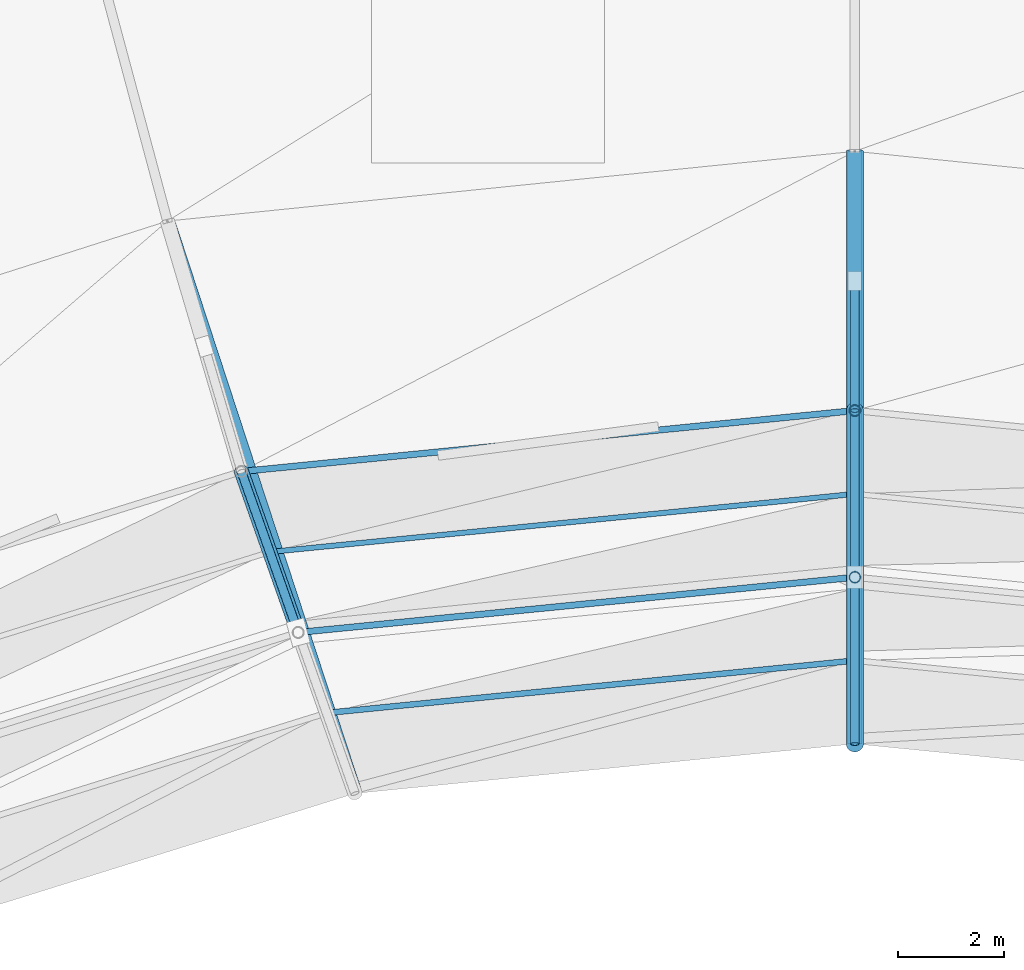
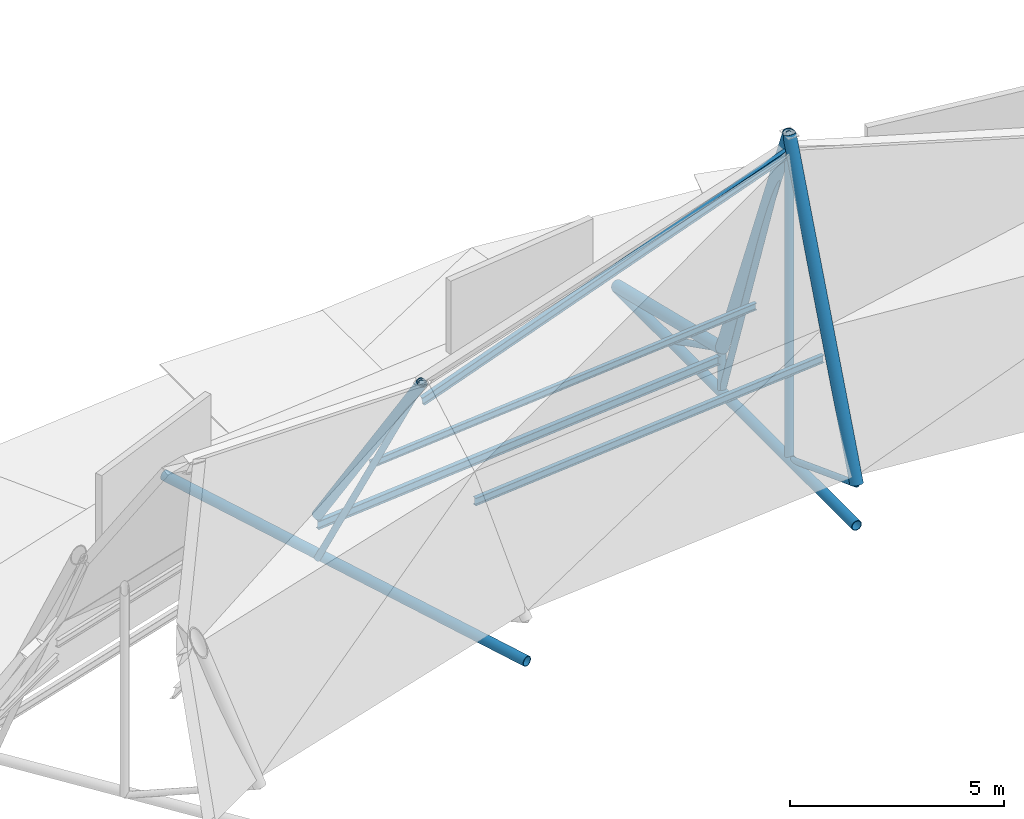
# One storey, part 13 of 36: 14 members, 2 beams.
"""IFC4 building model written with IfcOpenShell, lengths in metres."""

from ifc_helpers import new_model, si_unit, direction, frame, origin, origin_2d, place, context, subcontext, project, spatial, hollow_circle, i_section, extrude, material, material_profile, profile_set, type_object, element, save


model = new_model("IFC4")

# Units and contexts
model_context = context("Model", 3, precision=1e-05, world=origin(), true_north=direction((0.0, 1.0)))
body_context = subcontext(model_context, "Body", "Model", "MODEL_VIEW")
ifc_project = project(units=[si_unit("LENGTHUNIT", "METRE"), si_unit("AREAUNIT", "SQUARE_METRE"), si_unit("VOLUMEUNIT", "CUBIC_METRE"), si_unit("PLANEANGLEUNIT", "RADIAN"), si_unit("MASSUNIT", "GRAM", prefix="KILO")], contexts=[model_context])

# Site, building, storey
site_placement = place(None, origin())
site = spatial("IfcSite", under=ifc_project, at=site_placement, CompositionType="ELEMENT")
building_placement = place(site_placement, origin())
building = spatial("IfcBuilding", under=site, at=building_placement, Name="Kildeholm Park Wholesale Market", CompositionType="ELEMENT")
storey_placement = place(building_placement, frame((0.0, 0.0, 17.39990234375)))
storey = spatial("IfcBuildingStorey", under=building, at=storey_placement, Name="Roof", CompositionType="ELEMENT", Elevation=17.39990234375)

# Beams
ifc_material = material(Name="Steel S355", Category="steel")
ifc_material_profile_1 = material_profile(ifc_material, hollow_circle(Radius=0.136474609375, WallThickness=0.01611328125, at=origin_2d()), Name="CHS 273x16")
ifc_profile_set_1 = profile_set([ifc_material_profile_1], Name="Steel S355")
beam_type = type_object("IfcBeamType", Name="Beam B-T01 CHS 273x16", PredefinedType="BEAM", material=ifc_profile_set_1)
beam_1_placement = place(storey_placement, frame((99.0, 128.199951171875, -4.6298828125), z_axis=(0.0, -1.0, 0.0), x_axis=(1.0, 0.0, 0.0)))
element("IfcBeam", 1, at=beam_1_placement, inside=storey, type_object=beam_type, Name="Beam BM-V1-TIE-06 BM-0260", PredefinedType="BEAM", context=body_context, shape_type="SweptSolid", body=[
    extrude(hollow_circle(Radius=0.136474609375, WallThickness=0.01611328125, at=origin_2d()), origin(), (0.0, 0.0, 1.0), 11.199951171875),
])
beam_2_placement = place(storey_placement, frame((86.007080078125, 126.881103515625, -4.6298828125), z_axis=(0.31146940438, -0.950256181319, 0.0), x_axis=(0.950256181319, 0.31146940438, 0.0)))
element("IfcBeam", 2, at=beam_2_placement, inside=storey, type_object=beam_type, Name="Beam BM-V1-TIE-07 BM-0266", PredefinedType="BEAM", context=body_context, shape_type="SweptSolid", body=[
    extrude(hollow_circle(Radius=0.136474609375, WallThickness=0.01611328125, at=origin_2d()), origin(), (0.0, 0.0, 1.0), 11.384521484375),
])

# Members
ifc_material_profile_2 = material_profile(ifc_material, i_section(OverallWidth=0.10009765625, OverallDepth=0.199951171875, WebThickness=0.005615234375, FlangeThickness=0.008544921875, FilletRadius=0.011962890625, at=origin_2d()), Name="IPE 200")
ifc_profile_set_2 = profile_set([ifc_material_profile_2], Name="Steel S355")
member_type_1 = type_object("IfcMemberType", Name="Member PR-01 IPE 200", PredefinedType="PURLIN", material=ifc_profile_set_2)
member_1_placement = place(storey_placement, frame((99.0, 121.72509765625, -1.2099609375), z_axis=(-0.995105258288, -0.098820670548, 0.0), x_axis=(0.098820670548, -0.995105258288, 0.0)))
element("IfcMember", 3, at=member_1_placement, inside=storey, type_object=member_type_1, Name="Member PR-V1-MDO-06 MEM-0089", PredefinedType="PURLIN", context=body_context, shape_type="SweptSolid", body=[
    extrude(i_section(OverallWidth=0.10009765625, OverallDepth=0.199951171875, WebThickness=0.005615234375, FlangeThickness=0.008544921875, FilletRadius=0.011962890625, at=origin_2d()), origin(), (0.0, 0.0, 1.0), 11.112548828125),
])
ifc_material_profile_3 = material_profile(ifc_material, i_section(OverallWidth=0.1201171875, OverallDepth=0.239990234375, WebThickness=0.006103515625, FlangeThickness=0.009765625, FilletRadius=0.014892578125, at=origin_2d()), Name="IPE 240")
ifc_profile_set_3 = profile_set([ifc_material_profile_3], Name="Steel S355")
member_type_2 = type_object("IfcMemberType", Name="Member PR-02 IPE 240", PredefinedType="PURLIN", material=ifc_profile_set_3)
member_2_placement = place(storey_placement, frame((99.0, 123.300048828125, -3.66162109375), z_axis=(-0.995099849345, -0.098875122419, 0.0), x_axis=(0.098875122419, -0.995099849345, 0.0)))
element("IfcMember", 4, at=member_2_placement, inside=storey, type_object=member_type_2, Name="Member PR-V1-STP2-06 MEM-0087", PredefinedType="PURLIN", context=body_context, shape_type="SweptSolid", body=[
    extrude(i_section(OverallWidth=0.1201171875, OverallDepth=0.239990234375, WebThickness=0.006103515625, FlangeThickness=0.009765625, FilletRadius=0.014892578125, at=origin_2d()), origin(), (0.0, 0.0, 1.0), 11.652099609375),
])
member_3_placement = place(storey_placement, frame((99.0, 120.14990234375, 4.140625), z_axis=(-0.961949605276, -0.095449401591, -0.256012438458), x_axis=(0.098740063557, -0.995113259809, 0.0)))
element("IfcMember", 5, at=member_3_placement, inside=storey, type_object=member_type_2, Name="Member PR-V1-CRWN-06 MEM-0088", PredefinedType="PURLIN", context=body_context, shape_type="SweptSolid", body=[
    extrude(i_section(OverallWidth=0.1201171875, OverallDepth=0.239990234375, WebThickness=0.006103515625, FlangeThickness=0.009765625, FilletRadius=0.014892578125, at=origin_2d()), origin(), (0.0, 0.0, 1.0), 10.937255859375),
])
ifc_material_profile_4 = material_profile(ifc_material, i_section(OverallWidth=0.110107421875, OverallDepth=0.219970703125, WebThickness=0.005859375, FlangeThickness=0.00927734375, FilletRadius=0.011962890625, at=origin_2d()), Name="IPE 220")
ifc_profile_set_4 = profile_set([ifc_material_profile_4], Name="Steel S355")
member_type_3 = type_object("IfcMemberType", Name="Member PR-03 IPE 220", PredefinedType="PURLIN", material=ifc_profile_set_4)
member_4_placement = place(storey_placement, frame((99.0, 118.574951171875, -0.792724609375), z_axis=(-0.995114945582, -0.098723072681, 0.0), x_axis=(0.098723072681, -0.995114945582, 0.0)))
element("IfcMember", 6, at=member_4_placement, inside=storey, type_object=member_type_3, Name="Member PR-V1-MDI-06 MEM-0090", PredefinedType="PURLIN", context=body_context, shape_type="SweptSolid", body=[
    extrude(i_section(OverallWidth=0.110107421875, OverallDepth=0.219970703125, WebThickness=0.005859375, FlangeThickness=0.00927734375, FilletRadius=0.011962890625, at=origin_2d()), origin(), (0.0, 0.0, 1.0), 10.032958984375),
])
ifc_material_profile_5 = material_profile(ifc_material, hollow_circle(Radius=0.084228515625, WallThickness=0.010009765625, at=origin_2d()), Name="CHS 168.3x10")
ifc_profile_set_5 = profile_set([ifc_material_profile_5], Name="Steel S355")
member_type_4 = type_object("IfcMemberType", Name="Member TB-01 CHS 168.3x10", PredefinedType="BRACE", material=ifc_profile_set_5)
member_5_placement = place(storey_placement, frame((99.0, 125.75, -4.6298828125), z_axis=(0.0, -0.892229264964, 0.45158270421), x_axis=(1.0, 0.0, 0.0)))
element("IfcMember", 7, at=member_5_placement, inside=storey, type_object=member_type_4, Name="Member TR-V1-06-WB1 MEM-0084", PredefinedType="BRACE", context=body_context, shape_type="SweptSolid", body=[
    extrude(hollow_circle(Radius=0.084228515625, WallThickness=0.010009765625, at=origin_2d()), origin(), (0.0, 0.0, 1.0), 2.745849609375),
])
member_6_placement = place(storey_placement, frame((99.0, 123.300048828125, -4.6298828125), z_axis=(0.0, -0.321128949369, 0.947035478679), x_axis=(1.0, 0.0, 0.0)))
element("IfcMember", 8, at=member_6_placement, inside=storey, type_object=member_type_4, Name="Member TR-V1-06-WB2 MEM-0085", PredefinedType="BRACE", context=body_context, shape_type="SweptSolid", body=[
    extrude(hollow_circle(Radius=0.084228515625, WallThickness=0.010009765625, at=origin_2d()), origin(), (0.0, 0.0, 1.0), 9.8095703125),
])
member_7_placement = place(storey_placement, frame((99.0, 120.14990234375, -4.6298828125), z_axis=(0.0, -0.93547422434, 0.353394928649), x_axis=(1.0, 0.0, 0.0)))
element("IfcMember", 9, at=member_7_placement, inside=storey, type_object=member_type_4, Name="Member TR-V1-06-WB3 MEM-0086", PredefinedType="BRACE", context=body_context, shape_type="SweptSolid", body=[
    extrude(hollow_circle(Radius=0.084228515625, WallThickness=0.010009765625, at=origin_2d()), origin(), (0.0, 0.0, 1.0), 3.3671875),
])
member_8_placement = place(storey_placement, frame((87.405029296875, 122.14794921875, -4.6298828125), z_axis=(0.14818432141, -0.419726448005, 0.895472565595), x_axis=(0.942958194793, 0.332911163635, 0.0)))
element("IfcMember", 10, at=member_8_placement, inside=storey, type_object=member_type_4, Name="Member TR-V1-07-WB2 MEM-0097", PredefinedType="BRACE", context=body_context, shape_type="SweptSolid", body=[
    extrude(hollow_circle(Radius=0.084228515625, WallThickness=0.010009765625, at=origin_2d()), origin(), (0.0, 0.0, 1.0), 7.24755859375),
])
ifc_material_profile_6 = material_profile(ifc_material, hollow_circle(Radius=0.109619140625, WallThickness=0.012451171875, at=origin_2d()), Name="CHS 219.1x12.5")
ifc_profile_set_6 = profile_set([ifc_material_profile_6], Name="Steel S355")
member_type_5 = type_object("IfcMemberType", Name="Member TB-02 CHS 219.1x12.5", PredefinedType="BRACE", material=ifc_profile_set_6)
member_9_placement = place(storey_placement, frame((99.0, 123.300048828125, -4.6298828125), z_axis=(0.0, 0.0, 1.0), x_axis=(1.0, 0.0, 0.0)))
element("IfcMember", 11, at=member_9_placement, inside=storey, type_object=member_type_5, Name="Member TR-V1-06-VT1 MEM-0082", PredefinedType="BRACE", context=body_context, shape_type="SweptSolid", body=[
    extrude(hollow_circle(Radius=0.109619140625, WallThickness=0.012451171875, at=origin_2d()), origin(), (0.0, 0.0, 1.0), 1.239990234375),
])
member_10_placement = place(storey_placement, frame((99.0, 120.14990234375, -4.6298828125), z_axis=(0.0, 0.0, 1.0), x_axis=(1.0, 0.0, 0.0)))
element("IfcMember", 12, at=member_10_placement, inside=storey, type_object=member_type_5, Name="Member TR-V1-06-VT2 MEM-0083", PredefinedType="BRACE", context=body_context, shape_type="SweptSolid", body=[
    extrude(hollow_circle(Radius=0.109619140625, WallThickness=0.012451171875, at=origin_2d()), origin(), (0.0, 0.0, 1.0), 9.2900390625),
])
ifc_material_profile_7 = material_profile(ifc_material, hollow_circle(Radius=0.161865234375, WallThickness=0.01611328125, at=origin_2d()), Name="CHS 323.9x16")
ifc_profile_set_7 = profile_set([ifc_material_profile_7], Name="Steel S355")
member_type_6 = type_object("IfcMemberType", Name="Member TC-01 CHS 323.9x16", PredefinedType="CHORD", material=ifc_profile_set_7)
member_11_placement = place(storey_placement, frame((99.0, 128.199951171875, -4.579833984375), z_axis=(0.0, -0.971755290184, 0.23599079643), x_axis=(1.0, 0.0, 0.0)))
element("IfcMember", 13, at=member_11_placement, inside=storey, type_object=member_type_6, Name="Member TR-V1-06-TC1 MEM-0079", PredefinedType="CHORD", context=body_context, shape_type="SweptSolid", body=[
    extrude(hollow_circle(Radius=0.161865234375, WallThickness=0.01611328125, at=origin_2d()), origin(), (0.0, 0.0, 1.0), 5.042236328125),
])
member_12_placement = place(storey_placement, frame((99.0, 123.300048828125, -3.389892578125), z_axis=(0.0, -0.36441212709, 0.931237779318), x_axis=(1.0, 0.0, 0.0)))
element("IfcMember", 14, at=member_12_placement, inside=storey, type_object=member_type_6, Name="Member TR-V1-06-TC2 MEM-0080", PredefinedType="CHORD", context=body_context, shape_type="SweptSolid", body=[
    extrude(hollow_circle(Radius=0.161865234375, WallThickness=0.01611328125, at=origin_2d()), origin(), (0.0, 0.0, 1.0), 8.64453125),
])
member_13_placement = place(storey_placement, frame((99.0, 120.14990234375, 4.66015625), z_axis=(0.0, -0.36243270504, -0.93200994325), x_axis=(1.0, 0.0, 0.0)))
element("IfcMember", 15, at=member_13_placement, inside=storey, type_object=member_type_6, Name="Member TR-V1-06-TC3 MEM-0081", PredefinedType="CHORD", context=body_context, shape_type="SweptSolid", body=[
    extrude(hollow_circle(Radius=0.161865234375, WallThickness=0.01611328125, at=origin_2d()), origin(), (0.0, 0.0, 1.0), 8.69091796875),
])
ifc_material_profile_8 = material_profile(ifc_material, hollow_circle(Radius=0.136474609375, WallThickness=0.01611328125, at=origin_2d()), Name="CHS 273x16")
ifc_profile_set_8 = profile_set([ifc_material_profile_8], Name="Steel S355")
member_type_7 = type_object("IfcMemberType", Name="Member TC-02 CHS 273x16", PredefinedType="CHORD", material=ifc_profile_set_8)
member_14_placement = place(storey_placement, frame((87.405029296875, 122.14794921875, -3.389892578125), z_axis=(0.174291330852, -0.493673558175, 0.852002904895), x_axis=(0.942958194793, 0.332911163635, 0.0)))
element("IfcMember", 16, at=member_14_placement, inside=storey, type_object=member_type_7, Name="Member TR-V1-07-TC2 MEM-0092", PredefinedType="CHORD", context=body_context, shape_type="SweptSolid", body=[
    extrude(hollow_circle(Radius=0.136474609375, WallThickness=0.01611328125, at=origin_2d()), origin(), (0.0, 0.0, 1.0), 6.161865234375),
])

save(model, "model.ifc")
